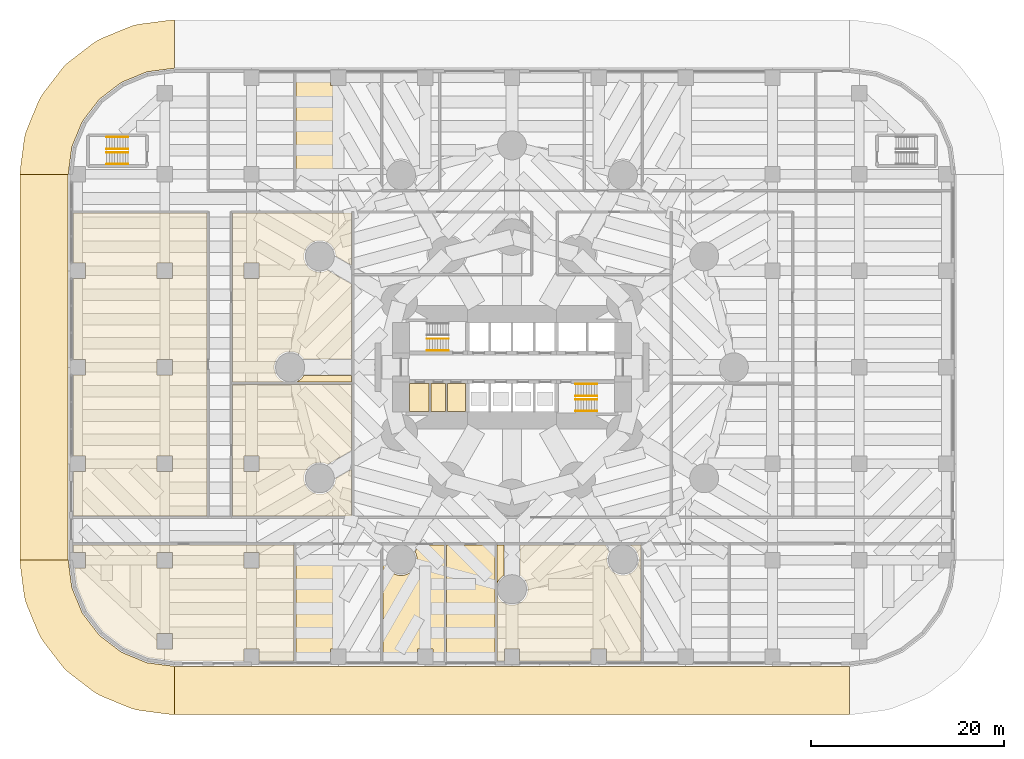
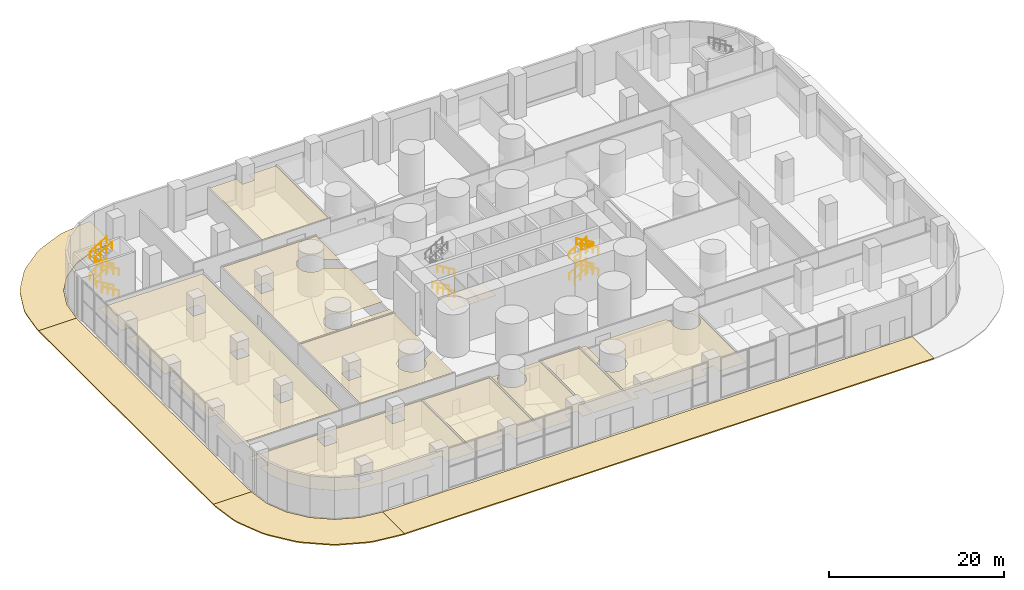
# One storey, part 17 of 20: 19 railings, 18 coverings.
"""IFC4 building model written with IfcOpenShell, lengths in metres."""

from ifc_helpers import new_model, si_unit, direction, frame, origin, origin_2d, place, context, subcontext, project, spatial, polyline, circle, outline, extrude, material, layer, layer_set, type_object, element, save


model = new_model("IFC4")

# Units and contexts
model_context = context("Model", 3, precision=1e-05, world=origin(), true_north=direction((0.0, 1.0)))
body_context = subcontext(model_context, "Body", "Model", "MODEL_VIEW")
ifc_project = project(units=[si_unit("LENGTHUNIT", "METRE"), si_unit("AREAUNIT", "SQUARE_METRE"), si_unit("VOLUMEUNIT", "CUBIC_METRE"), si_unit("PLANEANGLEUNIT", "RADIAN"), si_unit("MASSUNIT", "GRAM", prefix="KILO")], contexts=[model_context])

# Site, building, storey
site_placement = place(None, origin())
site = spatial("IfcSite", under=ifc_project, at=site_placement, CompositionType="ELEMENT")
building_placement = place(site_placement, origin())
building = spatial("IfcBuilding", under=site, at=building_placement, Name="Qaws Media Tower", CompositionType="ELEMENT")
storey_placement = place(building_placement, origin())
storey = spatial("IfcBuildingStorey", under=building, at=storey_placement, Name="L00", CompositionType="ELEMENT", Elevation=0.0)

# Coverings
ifc_material_1 = material(Name="600 x 600 mineral fibre tiles in exposed grid, suspended", Category="mineral fibre")
ifc_layer_1 = layer(ifc_material_1, 0.02001953125)
ifc_layer_set_1 = layer_set([ifc_layer_1], Name="Mineral fibre tile ceiling 20")
covering_type_1 = type_object("IfcCoveringType", Name="Mineral fibre tile ceiling 20", PredefinedType="CEILING", material=ifc_layer_set_1)
covering_1_placement = place(storey_placement, frame((0.0, 0.0, 3.60009765625)))
element("IfcCovering", 1, at=covering_1_placement, inside=storey, type_object=covering_type_1, Name="CL1 ceiling L00-01 Broadcast heritage gallery", PredefinedType="CEILING", context=body_context, shape_type="SweptSolid", body=[
    extrude(outline(polyline([(43.3798828125, 41.385986328125), (40.889892578125, 39.9482421875), (40.716796875, 40.03369140625), (40.510986328125, 40.103515625), (40.298095703125, 40.145751953125), (40.081298828125, 40.159912109375), (39.86474609375, 40.145751953125), (39.65185546875, 40.103515625), (39.4462890625, 40.03369140625), (39.25146484375, 39.9375), (39.07080078125, 39.81689453125), (38.90771484375, 39.673828125), (38.764404296875, 39.510498046875), (38.643798828125, 39.330078125), (38.5478515625, 39.13525390625), (38.47802734375, 38.9296875), (38.435546875, 38.716796875), (38.42138671875, 38.5), (38.435546875, 38.283203125), (38.47802734375, 38.0703125), (38.5478515625, 37.86474609375), (38.643798828125, 37.669921875), (38.764404296875, 37.489501953125), (38.90771484375, 37.326171875), (39.07080078125, 37.18310546875), (39.25146484375, 37.0625), (39.4462890625, 36.96630859375), (39.65185546875, 36.896484375), (39.86474609375, 36.854248046875), (40.081298828125, 36.840087890625), (40.298095703125, 36.854248046875), (40.510986328125, 36.896484375), (40.716796875, 36.96630859375), (40.911376953125, 37.0625), (41.092041015625, 37.18310546875), (41.255126953125, 37.326171875), (41.3984375, 37.489501953125), (41.51904296875, 37.669921875), (41.614990234375, 37.86474609375), (41.684814453125, 38.0703125), (41.727294921875, 38.283203125), (41.73974609375, 38.47607421875), (43.3798828125, 39.4228515625), (43.3798828125, 34.570068359375), (31.02001953125, 34.570068359375), (31.02001953125, 48.22998046875), (43.3798828125, 48.22998046875), (43.3798828125, 41.385986328125)]), holes=[polyline([(33.800048828125, 39.199951171875), (33.800048828125, 40.800048828125), (32.199951171875, 40.800048828125), (32.199951171875, 39.199951171875), (33.800048828125, 39.199951171875)])]), origin(), (0.0, 0.0, 1.0), 0.02001953125),
])
covering_2_placement = place(storey_placement, frame((0.0, 0.0, 3.60009765625)))
element("IfcCovering", 2, at=covering_2_placement, inside=storey, type_object=covering_type_1, Name="CL1 ceiling L00-02 Cafe", PredefinedType="CEILING", context=body_context, shape_type="SweptSolid", body=[
    extrude(outline(polyline([(43.3798828125, 60.5771484375), (41.73974609375, 61.52392578125), (41.727294921875, 61.716796875), (41.684814453125, 61.9296875), (41.614990234375, 62.13525390625), (41.51904296875, 62.330078125), (41.3984375, 62.510498046875), (41.255126953125, 62.673828125), (41.092041015625, 62.81689453125), (40.911376953125, 62.9375), (40.716796875, 63.03369140625), (40.510986328125, 63.103515625), (40.298095703125, 63.145751953125), (40.081298828125, 63.159912109375), (39.86474609375, 63.145751953125), (39.65185546875, 63.103515625), (39.4462890625, 63.03369140625), (39.25146484375, 62.9375), (39.07080078125, 62.81689453125), (38.90771484375, 62.673828125), (38.764404296875, 62.510498046875), (38.643798828125, 62.330078125), (38.5478515625, 62.13525390625), (38.47802734375, 61.9296875), (38.435546875, 61.716796875), (38.42138671875, 61.5), (38.435546875, 61.283203125), (38.47802734375, 61.0703125), (38.5478515625, 60.86474609375), (38.643798828125, 60.669921875), (38.764404296875, 60.489501953125), (38.90771484375, 60.326171875), (39.07080078125, 60.18310546875), (39.25146484375, 60.0625), (39.4462890625, 59.96630859375), (39.65185546875, 59.896484375), (39.86474609375, 59.854248046875), (40.081298828125, 59.840087890625), (40.298095703125, 59.854248046875), (40.510986328125, 59.896484375), (40.716796875, 59.96630859375), (40.889892578125, 60.0517578125), (43.3798828125, 58.614013671875), (43.3798828125, 50.85009765625), (38.42431640625, 50.85009765625), (38.31689453125, 51.010498046875), (38.173828125, 51.173828125), (38.010498046875, 51.31689453125), (37.830078125, 51.4375), (37.63525390625, 51.53369140625), (37.4296875, 51.603515625), (37.216796875, 51.645751953125), (37.0, 51.659912109375), (36.783203125, 51.645751953125), (36.5703125, 51.603515625), (36.36474609375, 51.53369140625), (36.169921875, 51.4375), (35.989501953125, 51.31689453125), (35.826171875, 51.173828125), (35.68310546875, 51.010498046875), (35.5625, 50.830078125), (35.46630859375, 50.63525390625), (35.396484375, 50.4296875), (35.354248046875, 50.216796875), (35.340087890625, 50.0), (35.354248046875, 49.783203125), (35.396484375, 49.5703125), (35.46630859375, 49.36474609375), (35.5625, 49.169921875), (35.68310546875, 48.989501953125), (35.826171875, 48.826171875), (35.989501953125, 48.68310546875), (36.169921875, 48.5625), (36.357421875, 48.469970703125), (31.02001953125, 48.469970703125), (31.02001953125, 65.97998046875), (43.3798828125, 65.97998046875), (43.3798828125, 60.5771484375)]), holes=[polyline([(32.199951171875, 59.199951171875), (33.800048828125, 59.199951171875), (33.800048828125, 60.800048828125), (32.199951171875, 60.800048828125), (32.199951171875, 59.199951171875)])]), origin(), (0.0, 0.0, 1.0), 0.02001953125),
])
covering_3_placement = place(storey_placement, frame((0.0, 0.0, 3.60009765625)))
element("IfcCovering", 3, at=covering_3_placement, inside=storey, type_object=covering_type_1, Name="CL1 ceiling L00-02 Cafe", PredefinedType="CEILING", context=body_context, shape_type="SweptSolid", body=[
    extrude(outline(polyline([(43.3798828125, 48.469970703125), (37.642578125, 48.469970703125), (37.830078125, 48.5625), (38.010498046875, 48.68310546875), (38.173828125, 48.826171875), (38.31689453125, 48.989501953125), (38.42431640625, 49.14990234375), (43.3798828125, 49.14990234375), (43.3798828125, 48.469970703125)])), origin(), (0.0, 0.0, 1.0), 0.02001953125),
])
covering_4_placement = place(storey_placement, frame((0.0, 0.0, 3.60009765625)))
element("IfcCovering", 4, at=covering_4_placement, inside=storey, type_object=covering_type_1, Name="CL1 ceiling L00-05 Entrance hall", PredefinedType="CEILING", context=body_context, shape_type="SweptSolid", body=[
    extrude(outline(polyline([(58.22998046875, 19.570068359375), (53.219970703125, 19.570068359375), (53.219970703125, 31.580078125), (58.22998046875, 31.580078125), (58.22998046875, 19.570068359375)])), origin(), (0.0, 0.0, 1.0), 0.02001953125),
])
covering_5_placement = place(storey_placement, frame((0.0, 0.0, 3.60009765625)))
element("IfcCovering", 5, at=covering_5_placement, inside=storey, type_object=covering_type_1, Name="CL1 ceiling L00-07 Facilities workshop", PredefinedType="CEILING", context=body_context, shape_type="SweptSolid", body=[
    extrude(outline(polyline([(37.6201171875, 80.429931640625), (41.199951171875, 80.429931640625), (41.199951171875, 79.199951171875), (42.800048828125, 79.199951171875), (42.800048828125, 80.429931640625), (46.3798828125, 80.429931640625), (46.3798828125, 68.419921875), (37.6201171875, 68.419921875), (37.6201171875, 80.429931640625)])), origin(), (0.0, 0.0, 1.0), 0.02001953125),
])
covering_6_placement = place(storey_placement, frame((0.0, 0.0, 3.60009765625)))
element("IfcCovering", 6, at=covering_6_placement, inside=storey, type_object=covering_type_1, Name="CL1 ceiling L00-17 Retail unit 1", PredefinedType="CEILING", context=body_context, shape_type="SweptSolid", body=[
    extrude(outline(polyline([(33.800048828125, 19.570068359375), (33.800048828125, 20.800048828125), (32.199951171875, 20.800048828125), (32.199951171875, 19.570068359375), (25.017578125, 19.570068359375), (22.301025390625, 19.927490234375), (19.7861328125, 20.969482421875), (17.62646484375, 22.62646484375), (15.969482421875, 24.7861328125), (14.927490234375, 27.301025390625), (14.677490234375, 29.199951171875), (15.800048828125, 29.199951171875), (15.800048828125, 30.800048828125), (14.570068359375, 30.800048828125), (14.570068359375, 31.580078125), (37.3798828125, 31.580078125), (37.3798828125, 19.570068359375), (33.800048828125, 19.570068359375)]), holes=[polyline([(23.199951171875, 20.800048828125), (24.800048828125, 20.800048828125), (24.800048828125, 22.39990234375), (23.199951171875, 22.39990234375), (23.199951171875, 20.800048828125)]), polyline([(23.199951171875, 29.199951171875), (24.800048828125, 29.199951171875), (24.800048828125, 30.800048828125), (23.199951171875, 30.800048828125), (23.199951171875, 29.199951171875)]), polyline([(32.199951171875, 29.199951171875), (33.800048828125, 29.199951171875), (33.800048828125, 30.800048828125), (32.199951171875, 30.800048828125), (32.199951171875, 29.199951171875)])]), origin(), (0.0, 0.0, 1.0), 0.02001953125),
])
covering_7_placement = place(storey_placement, frame((0.0, 0.0, 3.60009765625)))
element("IfcCovering", 7, at=covering_7_placement, inside=storey, type_object=covering_type_1, Name="CL1 ceiling L00-20 Visitor centre", PredefinedType="CEILING", context=body_context, shape_type="SweptSolid", body=[
    extrude(outline(polyline([(14.570068359375, 34.570068359375), (14.570068359375, 39.199951171875), (15.800048828125, 39.199951171875), (15.800048828125, 40.800048828125), (14.570068359375, 40.800048828125), (14.570068359375, 49.199951171875), (15.800048828125, 49.199951171875), (15.800048828125, 50.800048828125), (14.570068359375, 50.800048828125), (14.570068359375, 59.199951171875), (15.800048828125, 59.199951171875), (15.800048828125, 60.800048828125), (14.570068359375, 60.800048828125), (14.570068359375, 65.97998046875), (28.3798828125, 65.97998046875), (28.3798828125, 34.570068359375), (14.570068359375, 34.570068359375)]), holes=[polyline([(23.199951171875, 39.199951171875), (24.800048828125, 39.199951171875), (24.800048828125, 40.800048828125), (23.199951171875, 40.800048828125), (23.199951171875, 39.199951171875)]), polyline([(23.199951171875, 49.199951171875), (24.800048828125, 49.199951171875), (24.800048828125, 50.800048828125), (23.199951171875, 50.800048828125), (23.199951171875, 49.199951171875)]), polyline([(23.199951171875, 59.199951171875), (24.800048828125, 59.199951171875), (24.800048828125, 60.800048828125), (23.199951171875, 60.800048828125), (23.199951171875, 59.199951171875)])]), origin(), (0.0, 0.0, 1.0), 0.02001953125),
])
ifc_material_2 = material(Name="Two layers 12.5 moisture-resistant plasterboard on suspended metal furring", Category="gypsum")
ifc_layer_2 = layer(ifc_material_2, 0.02490234375)
ifc_layer_set_2 = layer_set([ifc_layer_2], Name="Plasterboard ceiling 25")
covering_type_2 = type_object("IfcCoveringType", Name="Plasterboard ceiling 25", PredefinedType="CEILING", material=ifc_layer_set_2)
covering_8_placement = place(storey_placement, frame((0.0, 0.0, 3.60009765625)))
element("IfcCovering", 8, at=covering_8_placement, inside=storey, type_object=covering_type_2, Name="CL2 ceiling L00-08 Fire command centre", PredefinedType="CEILING", context=body_context, shape_type="SweptSolid", body=[
    extrude(outline(polyline([(46.3798828125, 19.570068359375), (42.800048828125, 19.570068359375), (42.800048828125, 20.800048828125), (41.199951171875, 20.800048828125), (41.199951171875, 19.570068359375), (37.6201171875, 19.570068359375), (37.6201171875, 31.580078125), (46.3798828125, 31.580078125), (46.3798828125, 19.570068359375)])), origin(), (0.0, 0.0, 1.0), 0.02490234375),
])
covering_9_placement = place(storey_placement, frame((0.0, 0.0, 3.60009765625)))
element("IfcCovering", 9, at=covering_9_placement, inside=storey, type_object=covering_type_2, Name="CL2 ceiling L00-15 Press office", PredefinedType="CEILING", context=body_context, shape_type="SweptSolid", body=[
    extrude(outline(polyline([(69.800048828125, 19.570068359375), (69.800048828125, 20.800048828125), (68.199951171875, 20.800048828125), (68.199951171875, 19.570068359375), (60.800048828125, 19.570068359375), (60.800048828125, 20.800048828125), (59.199951171875, 20.800048828125), (59.199951171875, 19.570068359375), (58.469970703125, 19.570068359375), (58.469970703125, 26.357421875), (58.5625, 26.169921875), (58.68310546875, 25.989501953125), (58.826171875, 25.826171875), (58.989501953125, 25.68310546875), (59.169921875, 25.5625), (59.36474609375, 25.46630859375), (59.5703125, 25.396484375), (59.783203125, 25.354248046875), (60.0, 25.340087890625), (60.216796875, 25.354248046875), (60.4296875, 25.396484375), (60.63525390625, 25.46630859375), (60.830078125, 25.5625), (61.010498046875, 25.68310546875), (61.173828125, 25.826171875), (61.31689453125, 25.989501953125), (61.4375, 26.169921875), (61.53369140625, 26.36474609375), (61.603515625, 26.5703125), (61.645751953125, 26.783203125), (61.659912109375, 27.0), (61.645751953125, 27.216796875), (61.603515625, 27.4296875), (61.53369140625, 27.63525390625), (61.4375, 27.830078125), (61.31689453125, 28.010498046875), (61.173828125, 28.173828125), (61.010498046875, 28.31689453125), (60.85009765625, 28.42431640625), (60.85009765625, 31.580078125), (69.6533203125, 31.580078125), (70.0517578125, 30.889892578125), (69.96630859375, 30.716796875), (69.896484375, 30.510986328125), (69.854248046875, 30.298095703125), (69.840087890625, 30.081298828125), (69.854248046875, 29.86474609375), (69.896484375, 29.65185546875), (69.96630859375, 29.4462890625), (70.0625, 29.25146484375), (70.18310546875, 29.07080078125), (70.326171875, 28.90771484375), (70.489501953125, 28.764404296875), (70.669921875, 28.643798828125), (70.86474609375, 28.5478515625), (71.0703125, 28.47802734375), (71.283203125, 28.435546875), (71.5, 28.42138671875), (71.716796875, 28.435546875), (71.9296875, 28.47802734375), (72.13525390625, 28.5478515625), (72.330078125, 28.643798828125), (72.510498046875, 28.764404296875), (72.673828125, 28.90771484375), (72.81689453125, 29.07080078125), (72.9375, 29.25146484375), (73.03369140625, 29.4462890625), (73.103515625, 29.65185546875), (73.145751953125, 29.86474609375), (73.159912109375, 30.081298828125), (73.145751953125, 30.298095703125), (73.103515625, 30.510986328125), (73.03369140625, 30.716796875), (72.9375, 30.911376953125), (72.81689453125, 31.092041015625), (72.673828125, 31.255126953125), (72.510498046875, 31.3984375), (72.330078125, 31.51904296875), (72.206298828125, 31.580078125), (73.3798828125, 31.580078125), (73.3798828125, 19.570068359375), (69.800048828125, 19.570068359375)])), origin(), (0.0, 0.0, 1.0), 0.02490234375),
])
covering_10_placement = place(storey_placement, frame((0.0, 0.0, 3.60009765625)))
element("IfcCovering", 10, at=covering_10_placement, inside=storey, type_object=covering_type_2, Name="CL2 ceiling L00-15 Press office", PredefinedType="CEILING", context=body_context, shape_type="SweptSolid", body=[
    extrude(outline(polyline([(58.989501953125, 28.31689453125), (58.826171875, 28.173828125), (58.68310546875, 28.010498046875), (58.5625, 27.830078125), (58.469970703125, 27.642578125), (58.469970703125, 31.580078125), (59.14990234375, 31.580078125), (59.14990234375, 28.42431640625), (58.989501953125, 28.31689453125)])), origin(), (0.0, 0.0, 1.0), 0.02490234375),
])
covering_11_placement = place(storey_placement, frame((0.0, 0.0, 3.60009765625)))
element("IfcCovering", 11, at=covering_11_placement, inside=storey, type_object=covering_type_2, Name="CL2 ceiling L00-21 Visitor reception", PredefinedType="CEILING", context=body_context, shape_type="SweptSolid", body=[
    extrude(outline(polyline([(51.800048828125, 19.570068359375), (51.800048828125, 20.800048828125), (50.199951171875, 20.800048828125), (50.199951171875, 19.570068359375), (46.6201171875, 19.570068359375), (46.6201171875, 31.580078125), (47.793701171875, 31.580078125), (47.669921875, 31.51904296875), (47.489501953125, 31.3984375), (47.326171875, 31.255126953125), (47.18310546875, 31.092041015625), (47.0625, 30.911376953125), (46.96630859375, 30.716796875), (46.896484375, 30.510986328125), (46.854248046875, 30.298095703125), (46.840087890625, 30.081298828125), (46.854248046875, 29.86474609375), (46.896484375, 29.65185546875), (46.96630859375, 29.4462890625), (47.0625, 29.25146484375), (47.18310546875, 29.07080078125), (47.326171875, 28.90771484375), (47.489501953125, 28.764404296875), (47.669921875, 28.643798828125), (47.86474609375, 28.5478515625), (48.0703125, 28.47802734375), (48.283203125, 28.435546875), (48.5, 28.42138671875), (48.716796875, 28.435546875), (48.9296875, 28.47802734375), (49.13525390625, 28.5478515625), (49.330078125, 28.643798828125), (49.510498046875, 28.764404296875), (49.673828125, 28.90771484375), (49.81689453125, 29.07080078125), (49.9375, 29.25146484375), (50.03369140625, 29.4462890625), (50.103515625, 29.65185546875), (50.145751953125, 29.86474609375), (50.159912109375, 30.081298828125), (50.145751953125, 30.298095703125), (50.103515625, 30.510986328125), (50.03369140625, 30.716796875), (49.9482421875, 30.889892578125), (50.3466796875, 31.580078125), (52.97998046875, 31.580078125), (52.97998046875, 19.570068359375), (51.800048828125, 19.570068359375)])), origin(), (0.0, 0.0, 1.0), 0.02490234375),
])
covering_12_placement = place(storey_placement, frame((0.0, 0.0, 3.60009765625)))
element("IfcCovering", 12, at=covering_12_placement, inside=storey, type_object=covering_type_2, Name="CL2 ceiling L00-C04 WC male", PredefinedType="CEILING", context=body_context, shape_type="SweptSolid", body=[
    extrude(outline(polyline([(49.39990234375, 45.39990234375), (49.39990234375, 48.300048828125), (51.39990234375, 48.300048828125), (51.39990234375, 45.39990234375), (49.39990234375, 45.39990234375)])), origin(), (0.0, 0.0, 1.0), 0.02490234375),
])
covering_13_placement = place(storey_placement, frame((0.0, 0.0, 3.60009765625)))
element("IfcCovering", 13, at=covering_13_placement, inside=storey, type_object=covering_type_2, Name="CL2 ceiling L00-C05 WC female", PredefinedType="CEILING", context=body_context, shape_type="SweptSolid", body=[
    extrude(outline(polyline([(51.60009765625, 45.39990234375), (51.60009765625, 48.300048828125), (53.10009765625, 48.300048828125), (53.10009765625, 45.39990234375), (51.60009765625, 45.39990234375)])), origin(), (0.0, 0.0, 1.0), 0.02490234375),
])
covering_14_placement = place(storey_placement, frame((0.0, 0.0, 3.60009765625)))
element("IfcCovering", 14, at=covering_14_placement, inside=storey, type_object=covering_type_2, Name="CL2 ceiling L00-C06 Accessible WC", PredefinedType="CEILING", context=body_context, shape_type="SweptSolid", body=[
    extrude(outline(polyline([(53.300048828125, 45.39990234375), (53.300048828125, 48.300048828125), (55.199951171875, 48.300048828125), (55.199951171875, 45.39990234375), (53.300048828125, 45.39990234375)])), origin(), (0.0, 0.0, 1.0), 0.02490234375),
])
ifc_material_3 = material(Name="Granite setts on concrete bed", Category="masonry")
ifc_layer_3 = layer(ifc_material_3, 0.14990234375)
ifc_layer_set_3 = layer_set([ifc_layer_3], Name="Plaza paving 150")
covering_type_3 = type_object("IfcCoveringType", Name="Plaza paving 150", PredefinedType="USERDEFINED", material=ifc_layer_set_3)
covering_15_placement = place(storey_placement, frame((0.0, 0.0, -0.14990234375)))
element("IfcCovering", 15, at=covering_15_placement, inside=storey, type_object=covering_type_3, Name="PV1 plaza paving, south street", ObjectType="PAVING", PredefinedType="USERDEFINED", context=body_context, shape_type="SweptSolid", body=[
    extrude(outline(polyline([(25.0, 14.0), (25.0, 19.0), (95.0, 19.0), (95.0, 14.0), (25.0, 14.0)])), origin(), (0.0, 0.0, 1.0), 0.14990234375),
])
covering_16_placement = place(storey_placement, frame((0.0, 0.0, -0.14990234375)))
element("IfcCovering", 16, at=covering_16_placement, inside=storey, type_object=covering_type_3, Name="PV1 plaza paving, west street", ObjectType="PAVING", PredefinedType="USERDEFINED", context=body_context, shape_type="SweptSolid", body=[
    extrude(outline(polyline([(9.0, 70.0), (14.0, 70.0), (14.0, 30.0), (9.0, 30.0), (9.0, 70.0)])), origin(), (0.0, 0.0, 1.0), 0.14990234375),
])
covering_17_placement = place(storey_placement, frame((0.0, 0.0, -0.14990234375)))
element("IfcCovering", 17, at=covering_17_placement, inside=storey, type_object=covering_type_3, Name="PV1 plaza paving, south-west corner", ObjectType="PAVING", PredefinedType="USERDEFINED", context=body_context, shape_type="SweptSolid", body=[
    extrude(outline(polyline([(24.347412109375, 14.042724609375), (21.50048828125, 14.41748046875), (21.07080078125, 14.493408203125), (20.6494140625, 14.606201171875), (20.239501953125, 14.75537109375), (17.586669921875, 15.854248046875), (17.19140625, 16.038818359375), (16.8134765625, 16.2568359375), (16.456298828125, 16.507080078125), (14.177978515625, 18.255126953125), (13.843994140625, 18.535400390625), (13.535400390625, 18.843994140625), (13.255126953125, 19.177978515625), (11.507080078125, 21.456298828125), (11.2568359375, 21.8134765625), (11.038818359375, 22.19140625), (10.854248046875, 22.586669921875), (9.75537109375, 25.239501953125), (9.606201171875, 25.6494140625), (9.493408203125, 26.07080078125), (9.41748046875, 26.50048828125), (9.042724609375, 29.347412109375), (9.0, 30.0), (14.0, 30.0), (14.374755859375, 27.153076171875), (15.4736328125, 24.5), (17.2216796875, 22.2216796875), (19.5, 20.4736328125), (22.153076171875, 19.374755859375), (25.0, 19.0), (25.0, 14.0), (24.347412109375, 14.042724609375)])), origin(), (0.0, 0.0, 1.0), 0.14990234375),
])
covering_18_placement = place(storey_placement, frame((0.0, 0.0, -0.14990234375)))
element("IfcCovering", 18, at=covering_18_placement, inside=storey, type_object=covering_type_3, Name="PV1 plaza paving, north-west corner", ObjectType="PAVING", PredefinedType="USERDEFINED", context=body_context, shape_type="SweptSolid", body=[
    extrude(outline(polyline([(9.042724609375, 70.652587890625), (9.41748046875, 73.49951171875), (9.493408203125, 73.92919921875), (9.606201171875, 74.3505859375), (9.75537109375, 74.760498046875), (10.854248046875, 77.413330078125), (11.038818359375, 77.80859375), (11.2568359375, 78.1865234375), (11.507080078125, 78.543701171875), (13.255126953125, 80.822021484375), (13.535400390625, 81.156005859375), (13.843994140625, 81.464599609375), (14.177978515625, 81.744873046875), (16.456298828125, 83.492919921875), (16.8134765625, 83.7431640625), (17.19140625, 83.961181640625), (17.586669921875, 84.145751953125), (20.239501953125, 85.24462890625), (20.6494140625, 85.393798828125), (21.07080078125, 85.506591796875), (21.50048828125, 85.58251953125), (24.347412109375, 85.957275390625), (25.0, 86.0), (25.0, 81.0), (22.153076171875, 80.625244140625), (19.5, 79.5263671875), (17.2216796875, 77.7783203125), (15.4736328125, 75.5), (14.374755859375, 72.846923828125), (14.0, 70.0), (9.0, 70.0), (9.042724609375, 70.652587890625)])), origin(), (0.0, 0.0, 1.0), 0.14990234375),
])

# Railings
ifc_material_4 = material(Name="Steel tube handrail", Category="steel")
railing_type = type_object("IfcRailingType", Name="Stair handrail 900", PredefinedType="HANDRAIL", material=ifc_material_4)
for number, where, name in (
    (19, (53.419921875, 51.75, 0.166748046875), "HR1 handrail S1 flight 1 L00"),
    (20, (53.419921875, 52.9599609375, 0.166748046875), "HR1 handrail S1 flight 1 L00"),
    (21, (53.419921875, 51.75, 3.166748046875), "HR1 handrail S1 flight 3 L00"),
):
    element("IfcRailing", number, at=place(storey_placement, frame(where)), inside=storey, type_object=railing_type, Name=name, PredefinedType="HANDRAIL", context=body_context, shape_type="SweptSolid", body=[
        extrude(circle(Radius=0.02392578125, at=origin_2d()), frame((0.0, 0.0, 0.8759765625), z_axis=(-0.859305625298, 0.0, 0.511462454469), x_axis=(0.0, -1.0, 0.0)), (0.0, 0.0, 1.0), 2.606689453125),
        extrude(circle(Radius=0.02099609375, at=origin_2d()), origin(), (0.0, 0.0, 1.0), 0.851806640625),
        extrude(circle(Radius=0.02099609375, at=origin_2d()), frame((-0.74658203125, 0.0, 0.4443359375)), (0.0, 0.0, 1.0), 0.851806640625),
        extrude(circle(Radius=0.02099609375, at=origin_2d()), frame((-1.493408203125, 0.0, 0.888916015625)), (0.0, 0.0, 1.0), 0.851806640625),
        extrude(circle(Radius=0.02099609375, at=origin_2d()), frame((-2.239990234375, 0.0, 1.333251953125)), (0.0, 0.0, 1.0), 0.851806640625),
    ])
for number, where, name in (
    (22, (66.580078125, 48.25, 0.166748046875), "HR1 handrail S2 flight 1 L00"),
    (23, (66.580078125, 47.0400390625, 0.166748046875), "HR1 handrail S2 flight 1 L00"),
):
    element("IfcRailing", number, at=place(storey_placement, frame(where)), inside=storey, type_object=railing_type, Name=name, PredefinedType="HANDRAIL", context=body_context, shape_type="SweptSolid", body=[
        extrude(circle(Radius=0.02392578125, at=origin_2d()), frame((0.0, 0.0, 0.8759765625), z_axis=(0.859305625298, 0.0, 0.511462454469), x_axis=(0.0, 1.0, 0.0)), (0.0, 0.0, 1.0), 2.606689453125),
        extrude(circle(Radius=0.02099609375, at=origin_2d()), origin(), (0.0, 0.0, 1.0), 0.851806640625),
        extrude(circle(Radius=0.02099609375, at=origin_2d()), frame((0.74658203125, 0.0, 0.4443359375)), (0.0, 0.0, 1.0), 0.851806640625),
        extrude(circle(Radius=0.02099609375, at=origin_2d()), frame((1.493408203125, 0.0, 0.888916015625)), (0.0, 0.0, 1.0), 0.851806640625),
        extrude(circle(Radius=0.02099609375, at=origin_2d()), frame((2.239990234375, 0.0, 1.333251953125)), (0.0, 0.0, 1.0), 0.851806640625),
    ])
for number, where, name in (
    (24, (68.820068359375, 45.449951171875, 1.666748046875), "HR1 handrail S2 flight 2 L00"),
    (25, (68.820068359375, 46.659912109375, 1.666748046875), "HR1 handrail S2 flight 2 L00"),
):
    element("IfcRailing", number, at=place(storey_placement, frame(where)), inside=storey, type_object=railing_type, Name=name, PredefinedType="HANDRAIL", context=body_context, shape_type="SweptSolid", body=[
        extrude(circle(Radius=0.02392578125, at=origin_2d()), frame((0.0, 0.0, 0.8759765625), z_axis=(-0.859305625298, 0.0, 0.511462454469), x_axis=(0.0, -1.0, 0.0)), (0.0, 0.0, 1.0), 2.606689453125),
        extrude(circle(Radius=0.02099609375, at=origin_2d()), origin(), (0.0, 0.0, 1.0), 0.851806640625),
        extrude(circle(Radius=0.02099609375, at=origin_2d()), frame((-0.74658203125, 0.0, 0.4443359375)), (0.0, 0.0, 1.0), 0.851806640625),
        extrude(circle(Radius=0.02099609375, at=origin_2d()), frame((-1.493408203125, 0.0, 0.888916015625)), (0.0, 0.0, 1.0), 0.851806640625),
        extrude(circle(Radius=0.02099609375, at=origin_2d()), frame((-2.239990234375, 0.0, 1.333251953125)), (0.0, 0.0, 1.0), 0.851806640625),
    ])
for number, where, name in (
    (26, (66.580078125, 48.25, 3.166748046875), "HR1 handrail S2 flight 3 L00"),
    (27, (66.580078125, 47.0400390625, 3.166748046875), "HR1 handrail S2 flight 3 L00"),
):
    element("IfcRailing", number, at=place(storey_placement, frame(where)), inside=storey, type_object=railing_type, Name=name, PredefinedType="HANDRAIL", context=body_context, shape_type="SweptSolid", body=[
        extrude(circle(Radius=0.02392578125, at=origin_2d()), frame((0.0, 0.0, 0.8759765625), z_axis=(0.859305625298, 0.0, 0.511462454469), x_axis=(0.0, 1.0, 0.0)), (0.0, 0.0, 1.0), 2.606689453125),
        extrude(circle(Radius=0.02099609375, at=origin_2d()), origin(), (0.0, 0.0, 1.0), 0.851806640625),
        extrude(circle(Radius=0.02099609375, at=origin_2d()), frame((0.74658203125, 0.0, 0.4443359375)), (0.0, 0.0, 1.0), 0.851806640625),
        extrude(circle(Radius=0.02099609375, at=origin_2d()), frame((1.493408203125, 0.0, 0.888916015625)), (0.0, 0.0, 1.0), 0.851806640625),
        extrude(circle(Radius=0.02099609375, at=origin_2d()), frame((2.239990234375, 0.0, 1.333251953125)), (0.0, 0.0, 1.0), 0.851806640625),
    ])
for number, where, name in (
    (28, (68.820068359375, 45.449951171875, 4.666748046875), "HR1 handrail S2 flight 4 L00"),
    (29, (68.820068359375, 46.659912109375, 4.666748046875), "HR1 handrail S2 flight 4 L00"),
    (30, (20.219970703125, 71.050048828125, 0.166748046875), "HR1 handrail S3 flight 1 L00"),
    (31, (20.219970703125, 72.260009765625, 0.166748046875), "HR1 handrail S3 flight 1 L00"),
):
    element("IfcRailing", number, at=place(storey_placement, frame(where)), inside=storey, type_object=railing_type, Name=name, PredefinedType="HANDRAIL", context=body_context, shape_type="SweptSolid", body=[
        extrude(circle(Radius=0.02392578125, at=origin_2d()), frame((0.0, 0.0, 0.8759765625), z_axis=(-0.859305625298, 0.0, 0.511462454469), x_axis=(0.0, -1.0, 0.0)), (0.0, 0.0, 1.0), 2.606689453125),
        extrude(circle(Radius=0.02099609375, at=origin_2d()), origin(), (0.0, 0.0, 1.0), 0.851806640625),
        extrude(circle(Radius=0.02099609375, at=origin_2d()), frame((-0.74658203125, 0.0, 0.4443359375)), (0.0, 0.0, 1.0), 0.851806640625),
        extrude(circle(Radius=0.02099609375, at=origin_2d()), frame((-1.493408203125, 0.0, 0.888916015625)), (0.0, 0.0, 1.0), 0.851806640625),
        extrude(circle(Radius=0.02099609375, at=origin_2d()), frame((-2.239990234375, 0.0, 1.333251953125)), (0.0, 0.0, 1.0), 0.851806640625),
    ])
for number, where, name in (
    (32, (17.97998046875, 73.85009765625, 1.666748046875), "HR1 handrail S3 flight 2 L00"),
    (33, (17.97998046875, 72.639892578125, 1.666748046875), "HR1 handrail S3 flight 2 L00"),
):
    element("IfcRailing", number, at=place(storey_placement, frame(where)), inside=storey, type_object=railing_type, Name=name, PredefinedType="HANDRAIL", context=body_context, shape_type="SweptSolid", body=[
        extrude(circle(Radius=0.02392578125, at=origin_2d()), frame((0.0, 0.0, 0.8759765625), z_axis=(0.859305625298, 0.0, 0.511462454469), x_axis=(0.0, 1.0, 0.0)), (0.0, 0.0, 1.0), 2.606689453125),
        extrude(circle(Radius=0.02099609375, at=origin_2d()), origin(), (0.0, 0.0, 1.0), 0.851806640625),
        extrude(circle(Radius=0.02099609375, at=origin_2d()), frame((0.74658203125, 0.0, 0.4443359375)), (0.0, 0.0, 1.0), 0.851806640625),
        extrude(circle(Radius=0.02099609375, at=origin_2d()), frame((1.493408203125, 0.0, 0.888916015625)), (0.0, 0.0, 1.0), 0.851806640625),
        extrude(circle(Radius=0.02099609375, at=origin_2d()), frame((2.239990234375, 0.0, 1.333251953125)), (0.0, 0.0, 1.0), 0.851806640625),
    ])
for number, where, name in (
    (34, (20.219970703125, 71.050048828125, 3.166748046875), "HR1 handrail S3 flight 3 L00"),
    (35, (20.219970703125, 72.260009765625, 3.166748046875), "HR1 handrail S3 flight 3 L00"),
):
    element("IfcRailing", number, at=place(storey_placement, frame(where)), inside=storey, type_object=railing_type, Name=name, PredefinedType="HANDRAIL", context=body_context, shape_type="SweptSolid", body=[
        extrude(circle(Radius=0.02392578125, at=origin_2d()), frame((0.0, 0.0, 0.8759765625), z_axis=(-0.859305625298, 0.0, 0.511462454469), x_axis=(0.0, -1.0, 0.0)), (0.0, 0.0, 1.0), 2.606689453125),
        extrude(circle(Radius=0.02099609375, at=origin_2d()), origin(), (0.0, 0.0, 1.0), 0.851806640625),
        extrude(circle(Radius=0.02099609375, at=origin_2d()), frame((-0.74658203125, 0.0, 0.4443359375)), (0.0, 0.0, 1.0), 0.851806640625),
        extrude(circle(Radius=0.02099609375, at=origin_2d()), frame((-1.493408203125, 0.0, 0.888916015625)), (0.0, 0.0, 1.0), 0.851806640625),
        extrude(circle(Radius=0.02099609375, at=origin_2d()), frame((-2.239990234375, 0.0, 1.333251953125)), (0.0, 0.0, 1.0), 0.851806640625),
    ])
for number, where, name in (
    (36, (17.97998046875, 73.85009765625, 4.666748046875), "HR1 handrail S3 flight 4 L00"),
    (37, (17.97998046875, 72.639892578125, 4.666748046875), "HR1 handrail S3 flight 4 L00"),
):
    element("IfcRailing", number, at=place(storey_placement, frame(where)), inside=storey, type_object=railing_type, Name=name, PredefinedType="HANDRAIL", context=body_context, shape_type="SweptSolid", body=[
        extrude(circle(Radius=0.02392578125, at=origin_2d()), frame((0.0, 0.0, 0.8759765625), z_axis=(0.859305625298, 0.0, 0.511462454469), x_axis=(0.0, 1.0, 0.0)), (0.0, 0.0, 1.0), 2.606689453125),
        extrude(circle(Radius=0.02099609375, at=origin_2d()), origin(), (0.0, 0.0, 1.0), 0.851806640625),
        extrude(circle(Radius=0.02099609375, at=origin_2d()), frame((0.74658203125, 0.0, 0.4443359375)), (0.0, 0.0, 1.0), 0.851806640625),
        extrude(circle(Radius=0.02099609375, at=origin_2d()), frame((1.493408203125, 0.0, 0.888916015625)), (0.0, 0.0, 1.0), 0.851806640625),
        extrude(circle(Radius=0.02099609375, at=origin_2d()), frame((2.239990234375, 0.0, 1.333251953125)), (0.0, 0.0, 1.0), 0.851806640625),
    ])

save(model, "model.ifc")
